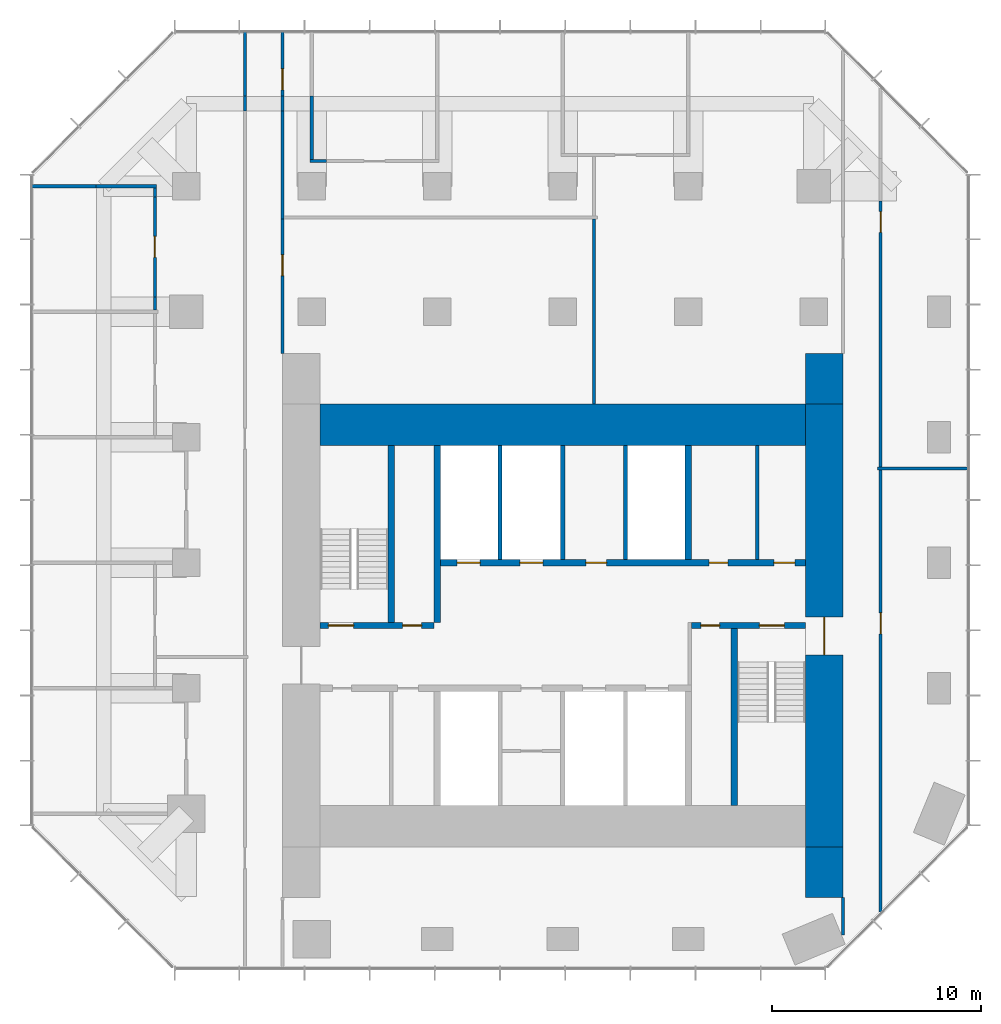
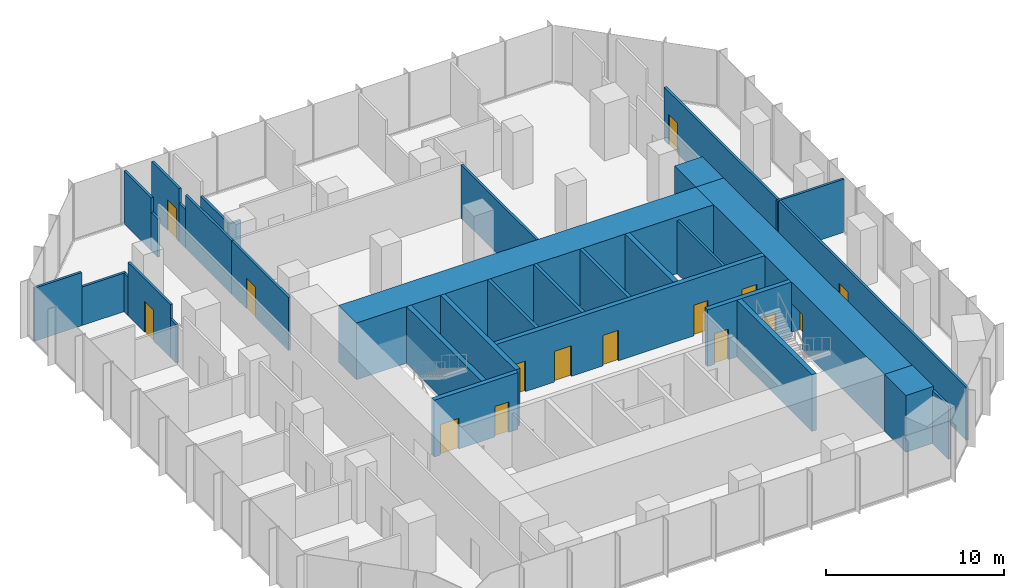
# One storey, part 9 of 11: 33 walls, 15 doors, 15 openings.
"""IFC4 building model written with IfcOpenShell, lengths in metres."""

import ifcopenshell
import ifcopenshell.guid

model = None  # the IFC model being written
_history = None  # IfcOwnerHistory: only IFC2X3 demands one
_inside = {}  # id of a spatial element -> (the spatial element, [elements in it])
_under = {}  # id of a project, library or spatial element -> (it, [spatial elements below it])
_declared = {}  # id of a project -> (the project, [libraries it declares])
_typed = {}  # id of a type object -> (the type object, [elements of that type])
_made_of = {}  # id of a material, layer set ... -> (it, [elements and type objects made of it])


def new_model(schema):
    """Start an empty IFC model of exactly this schema.

    Asked for "IFC4X3", IfcOpenShell would pick the latest addendum, in which some entities
    have other attributes; the version numbers below select the first issue.
    IFC2X3 requires an IfcOwnerHistory on every rooted entity: one is made here for all.
    """
    global model, _history
    if schema == "IFC4X3":
        model = ifcopenshell.file(schema_version=(4, 3, 0, 0))
    else:
        model = ifcopenshell.file(schema=schema)
    _inside.clear()
    _under.clear()
    _declared.clear()
    _typed.clear()
    _made_of.clear()
    _history = None
    if model.schema == "IFC2X3":
        org = make("IfcOrganization", Name="unknown")
        user = make(
            "IfcPersonAndOrganization",
            ThePerson=make("IfcPerson", FamilyName="unknown"),
            TheOrganization=org,
        )
        app = make(
            "IfcApplication",
            ApplicationDeveloper=org,
            Version="unknown",
            ApplicationFullName="unknown",
            ApplicationIdentifier="unknown",
        )
        _history = make(
            "IfcOwnerHistory",
            OwningUser=user,
            OwningApplication=app,
            ChangeAction="ADDED",
            CreationDate=0,
        )
    return model


def make(cls, **values):
    """One entity of the class cls with the attributes given. An attribute that is None is left unset."""
    return model.create_entity(
        cls, **{name: value for name, value in values.items() if value is not None}
    )


def rooted(cls, **values):
    """An entity with a GlobalId (a new one), such as an element, a storey or a relation."""
    return make(cls, GlobalId=ifcopenshell.guid.new(), OwnerHistory=_history, **values)


def si_unit(unit_type, name, prefix=None):
    """IfcSIUnit, for example si_unit("LENGTHUNIT", "METRE", prefix="MILLI")."""
    return make("IfcSIUnit", UnitType=unit_type, Prefix=prefix, Name=name)


def assignment(units):
    """IfcUnitAssignment: the units of a project."""
    return None if units is None else make("IfcUnitAssignment", Units=units)


def point(xyz):
    """IfcCartesianPoint."""
    return None if xyz is None else make("IfcCartesianPoint", Coordinates=xyz)


def direction(xyz):
    """IfcDirection."""
    return None if xyz is None else make("IfcDirection", DirectionRatios=xyz)


def frame(location, z_axis=None, x_axis=None):
    """IfcAxis2Placement3D, a coordinate frame: its origin and axes. An axis left out is left unset."""
    return make(
        "IfcAxis2Placement3D",
        Location=point(location),
        Axis=direction(z_axis),
        RefDirection=direction(x_axis),
    )


def frame_2d(location, x_axis=None):
    """IfcAxis2Placement2D, a coordinate frame in the plane: its origin and x axis."""
    return make(
        "IfcAxis2Placement2D", Location=point(location), RefDirection=direction(x_axis)
    )


def origin():
    """The frame at (0, 0, 0) with its axes left unset."""
    return frame((0.0, 0.0, 0.0))


def place(relative_to, where):
    """IfcLocalPlacement: puts the frame where relative to a parent placement (None: the world)."""
    return make(
        "IfcLocalPlacement", PlacementRelTo=relative_to, RelativePlacement=where
    )


def context(
    kind, dimensions, precision=None, world=None, true_north=None, identifier=None
):
    """IfcGeometricRepresentationContext, for example the 3D "Model" context."""
    return make(
        "IfcGeometricRepresentationContext",
        ContextIdentifier=identifier,
        ContextType=kind,
        CoordinateSpaceDimension=dimensions,
        Precision=precision,
        WorldCoordinateSystem=world,
        TrueNorth=true_north,
    )


def subcontext(parent, identifier, kind, view, scale=None):
    """IfcGeometricRepresentationSubContext, for example "Body" below "Model"."""
    return make(
        "IfcGeometricRepresentationSubContext",
        ContextIdentifier=identifier,
        ContextType=kind,
        ParentContext=parent,
        TargetScale=scale,
        TargetView=view,
    )


def project(units=None, contexts=None):
    """IfcProject with its units and contexts."""
    return rooted(
        "IfcProject",
        Name="project",
        RepresentationContexts=contexts,
        UnitsInContext=assignment(units),
    )


def spatial(cls, under=None, at=None, **own):
    """A site, building, storey or space (cls), placed at a placement, below another one or the project."""
    s = rooted(cls, ObjectPlacement=at, **own)
    if under is not None:
        _under.setdefault(under.id(), (under, []))[1].append(s)
    return s


def profile(cls, at=None, kind="AREA", **sizes):
    """A parametric profile (cls). Its sizes go by their IFC names, for example OverallWidth=200.0."""
    return make(cls, ProfileType=kind, Position=at, **sizes)


def rectangle(**sizes):
    """IfcRectangleProfileDef."""
    return profile("IfcRectangleProfileDef", **sizes)


def extrude(swept, where, along, depth):
    """IfcExtrudedAreaSolid: the profile swept, set in the frame where, extruded along a direction by depth."""
    return make(
        "IfcExtrudedAreaSolid",
        SweptArea=swept,
        Position=where,
        ExtrudedDirection=direction(along),
        Depth=depth,
    )


def shape(context_of_items, identifier, shape_type, items):
    """IfcShapeRepresentation: the items that make up one representation, for example the "Body"."""
    return make(
        "IfcShapeRepresentation",
        ContextOfItems=context_of_items,
        RepresentationIdentifier=identifier,
        RepresentationType=shape_type,
        Items=items,
    )


def material(Name=None, Category=None):
    """IfcMaterial."""
    return make("IfcMaterial", Name=Name, Category=Category)


def layer(
    of_material, thickness, ventilated=None, Name=None, Category=None, Priority=None
):
    """IfcMaterialLayer: one layer of a wall or slab, of a material (None: an air gap)."""
    return make(
        "IfcMaterialLayer",
        Material=of_material,
        LayerThickness=thickness,
        IsVentilated=ventilated,
        Name=Name,
        Category=Category,
        Priority=Priority,
    )


def layer_set(layers, Name=None):
    """IfcMaterialLayerSet."""
    return make("IfcMaterialLayerSet", MaterialLayers=layers, LayerSetName=Name)


def made_of(thing, what):
    """Note that an element or type object is made of a material, layer set ...; save() writes the relation."""
    if what is not None:
        _made_of.setdefault(what.id(), (what, []))[1].append(thing)
    return thing


def type_object(cls, material=None, **own):
    """A type object (cls), such as IfcWallType, which elements share."""
    return made_of(rooted(cls, **own), material)


def element(
    cls,
    number,
    at=None,
    inside=None,
    cuts=None,
    type_object=None,
    material=None,
    context=None,
    identifier="Body",
    shape_type=None,
    held_by="IfcProductDefinitionShape",
    body=None,
    shapes=None,
    **own,
):
    """One element of the class cls, such as IfcWall. Its Tag is "e" and its number.

    at: its placement. inside: the storey or other place that contains it. cuts: it is an
    opening in that element (IfcRelVoidsElement). A single representation is given by context,
    identifier, shape_type and body (its items); several are given by shapes. held_by: the class
    of the entity that holds the representations. save() writes the other relations.
    """
    e = rooted(cls, Tag="e%d" % number, ObjectPlacement=at, **own)
    if body is not None:
        shapes = [shape(context, identifier, shape_type, body)]
    if shapes is not None:
        e.Representation = make(held_by, Representations=shapes)
    if inside is not None:
        _inside.setdefault(inside.id(), (inside, []))[1].append(e)
    if cuts is not None:
        rooted(
            "IfcRelVoidsElement", RelatingBuildingElement=cuts, RelatedOpeningElement=e
        )
    if type_object is not None:
        _typed.setdefault(type_object.id(), (type_object, []))[1].append(e)
    return made_of(e, material)


def fill(opening, filler):
    """IfcRelFillsElement: the door or window that sits in an opening."""
    return rooted(
        "IfcRelFillsElement",
        RelatingOpeningElement=opening,
        RelatedBuildingElement=filler,
    )


def aggregate(whole, parts):
    """IfcRelAggregates: a whole, such as a stair, and the parts it consists of."""
    return rooted("IfcRelAggregates", RelatingObject=whole, RelatedObjects=parts)


def save(model, path):
    """Write the relations noted so far, then the file.

    IfcRelAggregates (storeys below a building ...), IfcRelContainedInSpatialStructure (elements
    in a storey), IfcRelDefinesByType, IfcRelAssociatesMaterial and IfcRelDeclares: one each for
    every whole, place, type object, material and project.
    """
    for whole, parts in _under.values():
        aggregate(whole, parts)
    for where, things in _inside.values():
        rooted(
            "IfcRelContainedInSpatialStructure",
            RelatedElements=things,
            RelatingStructure=where,
        )
    for kind, things in _typed.values():
        rooted("IfcRelDefinesByType", RelatedObjects=things, RelatingType=kind)
    for what, things in _made_of.values():
        rooted("IfcRelAssociatesMaterial", RelatedObjects=things, RelatingMaterial=what)
    for by, libraries in _declared.values():
        rooted("IfcRelDeclares", RelatingContext=by, RelatedDefinitions=libraries)
    model.write(path)


model = new_model("IFC4")

# Units and contexts
model_context = context("Model", 3, precision=1e-05, world=origin(), true_north=direction((0.0, 1.0)))
body_context = subcontext(model_context, "Body", "Model", "MODEL_VIEW")
ifc_project = project(units=[si_unit("LENGTHUNIT", "METRE"), si_unit("AREAUNIT", "SQUARE_METRE"), si_unit("VOLUMEUNIT", "CUBIC_METRE"), si_unit("PLANEANGLEUNIT", "RADIAN"), si_unit("MASSUNIT", "GRAM", prefix="KILO")], contexts=[model_context])

# Site, building, storey
site_placement = place(None, origin())
site = spatial("IfcSite", under=ifc_project, at=site_placement, CompositionType="ELEMENT")
building_placement = place(site_placement, origin())
building = spatial("IfcBuilding", under=site, at=building_placement, Name="Highveld Stack Headquarters", CompositionType="ELEMENT")
storey_placement = place(building_placement, frame((0.0, 0.0, 196.699951171875)))
storey = spatial("IfcBuildingStorey", under=building, at=storey_placement, Name="L48", CompositionType="ELEMENT", Elevation=196.699951171875)

# Wall, opening, door
ifc_material_1 = material(Name="Concrete C60/75", Category="concrete")
ifc_layer_1 = layer(ifc_material_1, 1.800048828125)
ifc_layer_set_1 = layer_set([ifc_layer_1], Name="Concrete C60/75")
wall_type_1 = type_object("IfcWallType", Name="CORE WALL 1800 C60/75", PredefinedType="SHEAR", material=ifc_layer_set_1)
wall_1_placement = place(storey_placement, frame((18.5, -7.60009765625, 0.0), z_axis=(0.0, 0.0, 1.0), x_axis=(0.0, 1.0, 0.0)))
wall_1 = element("IfcWall", 1, at=wall_1_placement, inside=storey, type_object=wall_type_1, Name="Core wall E L48", PredefinedType="SHEAR", context=body_context, shape_type="SweptSolid", body=[
    extrude(rectangle(XDim=21.2001953125, YDim=1.800048828125, at=frame_2d((10.60009765625, 0.0))), origin(), (0.0, 0.0, 1.0), 3.900146484375),
])
opening_1_placement = place(wall_1_placement, frame((9.199951171875, 0.0, 0.0)))
opening_1 = element("IfcOpeningElement", 2, at=opening_1_placement, cuts=wall_1, Name="Opening L48-02", PredefinedType="OPENING", context=body_context, shape_type="SweptSolid", body=[
    extrude(rectangle(XDim=1.800048828125, YDim=2.39990234375, at=frame_2d((0.89990234375, 1.199951171875))), frame((0.0, 0.909912109375, 0.0), z_axis=(0.0, -1.0, 0.0), x_axis=(1.0, 0.0, 0.0)), (0.0, 0.0, 1.0), 1.820068359375),
])
ifc_material_2 = material(Name="Steel fire door", Category="steel")
door_type_1 = type_object("IfcDoorType", Name="LOBBY FIRE DOOR D4 1800x2400", OperationType="DOUBLE_DOOR_SINGLE_SWING", PredefinedType="DOOR", material=ifc_material_2)
door_1_placement = place(opening_1_placement, origin())
door_1 = element("IfcDoor", 3, at=door_1_placement, inside=storey, type_object=door_type_1, Name="Core east door L48", OperationType="DOUBLE_DOOR_SINGLE_SWING", OverallHeight=2.39990234375, OverallWidth=1.800048828125, PredefinedType="DOOR", context=body_context, shape_type="SweptSolid", body=[
    extrude(rectangle(XDim=1.800048828125, YDim=2.39990234375, at=frame_2d((0.89990234375, 1.199951171875))), frame((0.0, 0.02490234375, 0.0), z_axis=(0.0, -1.0, 0.0), x_axis=(1.0, 0.0, 0.0)), (0.0, 0.0, 1.0), 0.050048828125),
])
fill(opening_1, door_1)

# Wall
ifc_material_3 = material(Name="Concrete C60/75", Category="concrete")
ifc_layer_2 = layer(ifc_material_3, 2.0)
ifc_layer_set_2 = layer_set([ifc_layer_2], Name="Concrete C60/75")
wall_type_2 = type_object("IfcWallType", Name="CORE WALL 2000 C60/75", PredefinedType="SHEAR", material=ifc_layer_set_2)
wall_2_placement = place(storey_placement, frame((-5.60009765625, 12.60009765625, 0.0), z_axis=(0.0, 0.0, 1.0), x_axis=(1.0, 0.0, 0.0)))
element("IfcWall", 4, at=wall_2_placement, inside=storey, type_object=wall_type_2, Name="Core wall N L48", PredefinedType="SHEAR", context=body_context, shape_type="SweptSolid", body=[
    extrude(rectangle(XDim=23.2001953125, YDim=2.0, at=frame_2d((11.60009765625, 0.0))), origin(), (0.0, 0.0, 1.0), 3.900146484375),
])

# Wall, openings, doors
ifc_material_4 = material(Name="Concrete C60/75", Category="concrete")
ifc_layer_3 = layer(ifc_material_4, 0.300048828125)
ifc_layer_set_3 = layer_set([ifc_layer_3], Name="Concrete C60/75")
wall_type_3 = type_object("IfcWallType", Name="CORE WALL 300 C60/75", PredefinedType="SHEAR", material=ifc_layer_set_3)
wall_3_placement = place(storey_placement, frame((-5.60009765625, 3.0, 0.0), z_axis=(0.0, 0.0, 1.0), x_axis=(1.0, 0.0, 0.0)))
wall_3 = element("IfcWall", 5, at=wall_3_placement, inside=storey, type_object=wall_type_3, Name="Core wall I-Y3W L48", PredefinedType="SHEAR", context=body_context, shape_type="SweptSolid", body=[
    extrude(rectangle(XDim=5.4501953125, YDim=0.300048828125, at=frame_2d((2.72509765625, 0.0))), origin(), (0.0, 0.0, 1.0), 3.900146484375),
])
opening_2_placement = place(wall_3_placement, frame((0.39990234375, 0.0, 0.0)))
opening_2 = element("IfcOpeningElement", 6, at=opening_2_placement, cuts=wall_3, Name="Opening L48-03", PredefinedType="OPENING", context=body_context, shape_type="SweptSolid", body=[
    extrude(rectangle(XDim=1.199951171875, YDim=2.10009765625, at=frame_2d((0.60009765625, 1.050048828125))), frame((0.0, 0.159912109375, 0.0), z_axis=(0.0, -1.0, 0.0), x_axis=(1.0, 0.0, 0.0)), (0.0, 0.0, 1.0), 0.320068359375),
])
opening_3_placement = place(wall_3_placement, frame((3.949951171875, 0.0, 0.0)))
opening_3 = element("IfcOpeningElement", 7, at=opening_3_placement, cuts=wall_3, Name="Opening L48-04", PredefinedType="OPENING", context=body_context, shape_type="SweptSolid", body=[
    extrude(rectangle(XDim=0.89990234375, YDim=2.10009765625, at=frame_2d((0.449951171875, 1.050048828125))), frame((0.0, 0.159912109375, 0.0), z_axis=(0.0, -1.0, 0.0), x_axis=(1.0, 0.0, 0.0)), (0.0, 0.0, 1.0), 0.320068359375),
])
ifc_material_5 = material(Name="Steel fire door", Category="steel")
door_type_2 = type_object("IfcDoorType", Name="RISER ACCESS DOOR D5 900x2100", OperationType="SINGLE_SWING_LEFT", PredefinedType="DOOR", material=ifc_material_5)
door_2_placement = place(opening_3_placement, origin())
door_2 = element("IfcDoor", 8, at=door_2_placement, inside=storey, type_object=door_type_2, Name="Riser R1 door L48", OperationType="SINGLE_SWING_RIGHT", OverallHeight=2.10009765625, OverallWidth=0.89990234375, PredefinedType="DOOR", context=body_context, shape_type="SweptSolid", body=[
    extrude(rectangle(XDim=0.89990234375, YDim=2.10009765625, at=frame_2d((0.449951171875, 1.050048828125))), frame((0.0, 0.02490234375, 0.0), z_axis=(0.0, -1.0, 0.0), x_axis=(1.0, 0.0, 0.0)), (0.0, 0.0, 1.0), 0.050048828125),
])
fill(opening_3, door_2)
ifc_material_6 = material(Name="Steel fire door", Category="steel")
door_type_3 = type_object("IfcDoorType", Name="STAIR FIRE DOOR D3 1200x2100", OperationType="SINGLE_SWING_LEFT", PredefinedType="DOOR", material=ifc_material_6)
door_3_placement = place(opening_2_placement, origin())
door_3 = element("IfcDoor", 9, at=door_3_placement, inside=storey, type_object=door_type_3, Name="Stair S1 door L48", OperationType="SINGLE_SWING_LEFT", OverallHeight=2.10009765625, OverallWidth=1.199951171875, PredefinedType="DOOR", context=body_context, shape_type="SweptSolid", body=[
    extrude(rectangle(XDim=1.199951171875, YDim=2.10009765625, at=frame_2d((0.60009765625, 1.050048828125))), frame((0.0, 0.02490234375, 0.0), z_axis=(0.0, -1.0, 0.0), x_axis=(1.0, 0.0, 0.0)), (0.0, 0.0, 1.0), 0.050048828125),
])
fill(opening_2, door_3)

wall_4_placement = place(storey_placement, frame((12.14990234375, 3.0, 0.0), z_axis=(0.0, 0.0, 1.0), x_axis=(1.0, 0.0, 0.0)))
wall_4 = element("IfcWall", 10, at=wall_4_placement, inside=storey, type_object=wall_type_3, Name="Core wall I-Y3E L48", PredefinedType="SHEAR", context=body_context, shape_type="SweptSolid", body=[
    extrude(rectangle(XDim=5.4501953125, YDim=0.300048828125, at=frame_2d((2.72509765625, 0.0))), origin(), (0.0, 0.0, 1.0), 3.900146484375),
])
opening_4_placement = place(wall_4_placement, frame((3.25, 0.0, 0.0)))
opening_4 = element("IfcOpeningElement", 11, at=opening_4_placement, cuts=wall_4, Name="Opening L48-05", PredefinedType="OPENING", context=body_context, shape_type="SweptSolid", body=[
    extrude(rectangle(XDim=1.199951171875, YDim=2.10009765625, at=frame_2d((0.60009765625, 1.050048828125))), frame((0.0, 0.159912109375, 0.0), z_axis=(0.0, -1.0, 0.0), x_axis=(1.0, 0.0, 0.0)), (0.0, 0.0, 1.0), 0.320068359375),
])
opening_5_placement = place(wall_4_placement, frame((0.449951171875, 0.0, 0.0)))
opening_5 = element("IfcOpeningElement", 12, at=opening_5_placement, cuts=wall_4, Name="Opening L48-06", PredefinedType="OPENING", context=body_context, shape_type="SweptSolid", body=[
    extrude(rectangle(XDim=0.89990234375, YDim=2.10009765625, at=frame_2d((0.449951171875, 1.050048828125))), frame((0.0, 0.159912109375, 0.0), z_axis=(0.0, -1.0, 0.0), x_axis=(1.0, 0.0, 0.0)), (0.0, 0.0, 1.0), 0.320068359375),
])
door_4_placement = place(opening_5_placement, origin())
door_4 = element("IfcDoor", 13, at=door_4_placement, inside=storey, type_object=door_type_2, Name="Riser R2 door L48", OperationType="SINGLE_SWING_LEFT", OverallHeight=2.10009765625, OverallWidth=0.89990234375, PredefinedType="DOOR", context=body_context, shape_type="SweptSolid", body=[
    extrude(rectangle(XDim=0.89990234375, YDim=2.10009765625, at=frame_2d((0.449951171875, 1.050048828125))), frame((0.0, 0.02490234375, 0.0), z_axis=(0.0, -1.0, 0.0), x_axis=(1.0, 0.0, 0.0)), (0.0, 0.0, 1.0), 0.050048828125),
])
fill(opening_5, door_4)
door_5_placement = place(opening_4_placement, origin())
door_5 = element("IfcDoor", 14, at=door_5_placement, inside=storey, type_object=door_type_3, Name="Stair S2 door L48", OperationType="SINGLE_SWING_RIGHT", OverallHeight=2.10009765625, OverallWidth=1.199951171875, PredefinedType="DOOR", context=body_context, shape_type="SweptSolid", body=[
    extrude(rectangle(XDim=1.199951171875, YDim=2.10009765625, at=frame_2d((0.60009765625, 1.050048828125))), frame((0.0, 0.02490234375, 0.0), z_axis=(0.0, -1.0, 0.0), x_axis=(1.0, 0.0, 0.0)), (0.0, 0.0, 1.0), 0.050048828125),
])
fill(opening_4, door_5)

wall_5_placement = place(storey_placement, frame((-0.14990234375, 6.0, 0.0), z_axis=(0.0, 0.0, 1.0), x_axis=(1.0, 0.0, 0.0)))
wall_5 = element("IfcWall", 15, at=wall_5_placement, inside=storey, type_object=wall_type_3, Name="Core wall I-Y6 L48", PredefinedType="SHEAR", context=body_context, shape_type="SweptSolid", body=[
    extrude(rectangle(XDim=17.75, YDim=0.300048828125, at=frame_2d((8.875, 0.0))), origin(), (0.0, 0.0, 1.0), 3.900146484375),
])
opening_6_placement = place(wall_5_placement, frame((13.14990234375, 0.0, 0.0)))
opening_6 = element("IfcOpeningElement", 16, at=opening_6_placement, cuts=wall_5, Name="Opening L48-09", PredefinedType="OPENING", context=body_context, shape_type="SweptSolid", body=[
    extrude(rectangle(XDim=0.89990234375, YDim=2.10009765625, at=frame_2d((0.449951171875, 1.050048828125))), frame((0.0, 0.159912109375, 0.0), z_axis=(0.0, -1.0, 0.0), x_axis=(1.0, 0.0, 0.0)), (0.0, 0.0, 1.0), 0.320068359375),
])
opening_7_placement = place(wall_5_placement, frame((16.25, 0.0, 0.0)))
opening_7 = element("IfcOpeningElement", 17, at=opening_7_placement, cuts=wall_5, Name="Opening L48-10", PredefinedType="OPENING", context=body_context, shape_type="SweptSolid", body=[
    extrude(rectangle(XDim=1.0, YDim=2.10009765625, at=frame_2d((0.5, 1.050048828125))), frame((0.0, 0.159912109375, 0.0), z_axis=(0.0, -1.0, 0.0), x_axis=(1.0, 0.0, 0.0)), (0.0, 0.0, 1.0), 0.320068359375),
])
opening_8_placement = place(wall_5_placement, frame((7.25, 0.0, 0.0)))
opening_8 = element("IfcOpeningElement", 18, at=opening_8_placement, cuts=wall_5, Name="Opening L48-11", PredefinedType="OPENING", context=body_context, shape_type="SweptSolid", body=[
    extrude(rectangle(XDim=1.0, YDim=2.10009765625, at=frame_2d((0.5, 1.050048828125))), frame((0.0, 0.159912109375, 0.0), z_axis=(0.0, -1.0, 0.0), x_axis=(1.0, 0.0, 0.0)), (0.0, 0.0, 1.0), 0.320068359375),
])
opening_9_placement = place(wall_5_placement, frame((1.10009765625, 0.0, 0.0)))
opening_9 = element("IfcOpeningElement", 19, at=opening_9_placement, cuts=wall_5, Name="Opening LD", PredefinedType="OPENING", context=body_context, shape_type="SweptSolid", body=[
    extrude(rectangle(XDim=1.10009765625, YDim=2.10009765625, at=frame_2d((0.550048828125, 1.050048828125))), frame((0.0, 0.159912109375, 0.0), z_axis=(0.0, -1.0, 0.0), x_axis=(1.0, 0.0, 0.0)), (0.0, 0.0, 1.0), 0.320068359375),
])
opening_10_placement = place(wall_5_placement, frame((4.10009765625, 0.0, 0.0)))
opening_10 = element("IfcOpeningElement", 20, at=opening_10_placement, cuts=wall_5, Name="Opening LD", PredefinedType="OPENING", context=body_context, shape_type="SweptSolid", body=[
    extrude(rectangle(XDim=1.10009765625, YDim=2.10009765625, at=frame_2d((0.550048828125, 1.050048828125))), frame((0.0, 0.159912109375, 0.0), z_axis=(0.0, -1.0, 0.0), x_axis=(1.0, 0.0, 0.0)), (0.0, 0.0, 1.0), 0.320068359375),
])
ifc_material_7 = material(Name="Timber door, painted", Category="wood")
door_type_4 = type_object("IfcDoorType", Name="ACCESSIBLE WC DOOR D2 1000x2100", OperationType="SINGLE_SWING_RIGHT", PredefinedType="DOOR", material=ifc_material_7)
door_6_placement = place(opening_7_placement, origin())
door_6 = element("IfcDoor", 21, at=door_6_placement, inside=storey, type_object=door_type_4, Name="Accessible WC door L48", OperationType="SINGLE_SWING_RIGHT", OverallHeight=2.10009765625, OverallWidth=1.0, PredefinedType="DOOR", context=body_context, shape_type="SweptSolid", body=[
    extrude(rectangle(XDim=1.0, YDim=2.10009765625, at=frame_2d((0.5, 1.050048828125))), frame((0.0, 0.02490234375, 0.0), z_axis=(0.0, -1.0, 0.0), x_axis=(1.0, 0.0, 0.0)), (0.0, 0.0, 1.0), 0.050048828125),
])
fill(opening_7, door_6)
ifc_material_8 = material(Name="Steel fire door", Category="steel")
door_type_5 = type_object("IfcDoorType", Name="CORE ROOM FIRE DOOR D14 1000x2100", OperationType="SINGLE_SWING_LEFT", PredefinedType="DOOR", material=ifc_material_8)
door_7_placement = place(opening_8_placement, origin())
door_7 = element("IfcDoor", 22, at=door_7_placement, inside=storey, type_object=door_type_5, Name="Capped A 1 door L48", OperationType="SINGLE_SWING_LEFT", OverallHeight=2.10009765625, OverallWidth=1.0, PredefinedType="DOOR", context=body_context, shape_type="SweptSolid", body=[
    extrude(rectangle(XDim=1.0, YDim=2.10009765625, at=frame_2d((0.5, 1.050048828125))), frame((0.0, 0.02490234375, 0.0), z_axis=(0.0, -1.0, 0.0), x_axis=(1.0, 0.0, 0.0)), (0.0, 0.0, 1.0), 0.050048828125),
])
fill(opening_8, door_7)
ifc_material_9 = material(Name="Stainless steel lift landing door", Category="steel")
door_type_6 = type_object("IfcDoorType", Name="LIFT LANDING DOOR LD 1100x2100", OperationType="DOUBLE_DOOR_SLIDING", PredefinedType="USERDEFINED", material=ifc_material_9)
door_8_placement = place(opening_9_placement, origin())
door_8 = element("IfcDoor", 23, at=door_8_placement, inside=storey, type_object=door_type_6, Name="Lift landing door FF1 L48", ObjectType="LIFT LANDING DOOR", OperationType="DOUBLE_DOOR_SLIDING", OverallHeight=2.10009765625, OverallWidth=1.10009765625, PredefinedType="USERDEFINED", context=body_context, shape_type="SweptSolid", body=[
    extrude(rectangle(XDim=1.10009765625, YDim=2.10009765625, at=frame_2d((0.550048828125, 1.050048828125))), frame((0.0, 0.02490234375, 0.0), z_axis=(0.0, -1.0, 0.0), x_axis=(1.0, 0.0, 0.0)), (0.0, 0.0, 1.0), 0.050048828125),
])
fill(opening_9, door_8)
door_9_placement = place(opening_10_placement, origin())
door_9 = element("IfcDoor", 24, at=door_9_placement, inside=storey, type_object=door_type_6, Name="Lift landing door FF2 L48", ObjectType="LIFT LANDING DOOR", OperationType="DOUBLE_DOOR_SLIDING", OverallHeight=2.10009765625, OverallWidth=1.10009765625, PredefinedType="USERDEFINED", context=body_context, shape_type="SweptSolid", body=[
    extrude(rectangle(XDim=1.10009765625, YDim=2.10009765625, at=frame_2d((0.550048828125, 1.050048828125))), frame((0.0, 0.02490234375, 0.0), z_axis=(0.0, -1.0, 0.0), x_axis=(1.0, 0.0, 0.0)), (0.0, 0.0, 1.0), 0.050048828125),
])
fill(opening_10, door_9)
ifc_material_10 = material(Name="Timber door, painted", Category="wood")
door_type_7 = type_object("IfcDoorType", Name="WC DOOR D1 900x2100", OperationType="SINGLE_SWING_LEFT", PredefinedType="DOOR", material=ifc_material_10)
door_10_placement = place(opening_6_placement, origin())
door_10 = element("IfcDoor", 25, at=door_10_placement, inside=storey, type_object=door_type_7, Name="Male WC door L48", OperationType="SINGLE_SWING_RIGHT", OverallHeight=2.10009765625, OverallWidth=0.89990234375, PredefinedType="DOOR", context=body_context, shape_type="SweptSolid", body=[
    extrude(rectangle(XDim=0.89990234375, YDim=2.10009765625, at=frame_2d((0.449951171875, 1.050048828125))), frame((0.0, 0.02490234375, 0.0), z_axis=(0.0, -1.0, 0.0), x_axis=(1.0, 0.0, 0.0)), (0.0, 0.0, 1.0), 0.050048828125),
])
fill(opening_6, door_10)

# Walls
wall_6_placement = place(storey_placement, frame((0.0, 3.14990234375, 0.0), z_axis=(0.0, 0.0, 1.0), x_axis=(0.0, 1.0, 0.0)))
element("IfcWall", 26, at=wall_6_placement, inside=storey, type_object=wall_type_3, Name="Core wall I-X0N L48", PredefinedType="SHEAR", context=body_context, shape_type="SweptSolid", body=[
    extrude(rectangle(XDim=8.4501953125, YDim=0.300048828125, at=frame_2d((4.22509765625, 0.0))), origin(), (0.0, 0.0, 1.0), 3.900146484375),
])
wall_7_placement = place(storey_placement, frame((12.0, 6.14990234375, 0.0), z_axis=(0.0, 0.0, 1.0), x_axis=(0.0, 1.0, 0.0)))
element("IfcWall", 27, at=wall_7_placement, inside=storey, type_object=wall_type_3, Name="Core wall I-X12N L48", PredefinedType="SHEAR", context=body_context, shape_type="SweptSolid", body=[
    extrude(rectangle(XDim=5.4501953125, YDim=0.300048828125, at=frame_2d((2.72509765625, 0.0))), origin(), (0.0, 0.0, 1.0), 3.900146484375),
])
for number, where, z_axis, x_axis, name in (
    (28, (-2.199951171875, 3.14990234375, 0.0), (0.0, 0.0, 1.0), (0.0, 1.0, 0.0), "Core wall I-RW L48"),
    (29, (14.199951171875, -5.60009765625, 0.0), (0.0, 0.0, 1.0), (0.0, 1.0, 0.0), "Core wall I-RE L48"),
):
    element("IfcWall", number, at=place(storey_placement, frame(where, z_axis=z_axis, x_axis=x_axis)), inside=storey, type_object=wall_type_3, Name=name, PredefinedType="SHEAR", context=body_context, shape_type="SweptSolid", body=[
        extrude(rectangle(XDim=8.4501953125, YDim=0.300048828125, at=frame_2d((4.22509765625, 0.0))), origin(), (0.0, 0.0, 1.0), 3.900146484375),
    ])
ifc_material_11 = material(Name="Concrete C60/75", Category="concrete")
ifc_layer_4 = layer(ifc_material_11, 1.800048828125)
ifc_layer_set_4 = layer_set([ifc_layer_4], Name="Concrete C60/75")
wall_type_4 = type_object("IfcWallType", Name="CORE WING WALL 1800 C60/75", PredefinedType="SHEAR", material=ifc_layer_set_4)
for number, where, z_axis, x_axis, name in (
    (30, (18.5, -10.0, 0.0), (0.0, 0.0, 1.0), (0.0, 1.0, 0.0), "Core wing wall ES L48"),
    (31, (18.5, 13.60009765625, 0.0), (0.0, 0.0, 1.0), (0.0, 1.0, 0.0), "Core wing wall EN L48"),
):
    element("IfcWall", number, at=place(storey_placement, frame(where, z_axis=z_axis, x_axis=x_axis)), inside=storey, type_object=wall_type_4, Name=name, PredefinedType="SHEAR", context=body_context, shape_type="SweptSolid", body=[
        extrude(rectangle(XDim=2.39990234375, YDim=1.800048828125, at=frame_2d((1.199951171875, 0.0))), origin(), (0.0, 0.0, 1.0), 3.900146484375),
    ])
ifc_material_12 = material(Name="Concrete blockwork, fair-faced", Category="masonry")
ifc_layer_5 = layer(ifc_material_12, 0.199951171875)
ifc_layer_set_5 = layer_set([ifc_layer_5], Name="Concrete blockwork, fair-faced")
wall_type_5 = type_object("IfcWallType", Name="LIFT SHAFT ENCLOSURE WALL 200 BLOCKWORK", PredefinedType="SOLIDWALL", material=ifc_layer_set_5)
for number, where, z_axis, x_axis, name in (
    (32, (3.0, 6.14990234375, 0.0), (0.0, 0.0, 1.0), (0.0, 1.0, 0.0), "Lift shaft wall L48"),
    (33, (6.0, 6.14990234375, 0.0), (0.0, 0.0, 1.0), (0.0, 1.0, 0.0), "Lift shaft wall L48"),
    (34, (9.0, 6.14990234375, 0.0), (0.0, 0.0, 1.0), (0.0, 1.0, 0.0), "Lift shaft wall L48"),
):
    element("IfcWall", number, at=place(storey_placement, frame(where, z_axis=z_axis, x_axis=x_axis)), inside=storey, type_object=wall_type_5, Name=name, PredefinedType="SOLIDWALL", context=body_context, shape_type="SweptSolid", body=[
        extrude(rectangle(XDim=5.4501953125, YDim=0.199951171875, at=frame_2d((2.72509765625, 0.0))), origin(), (0.0, 0.0, 1.0), 3.900146484375),
    ])
ifc_material_13 = material(Name="Gypsum plasterboard on steel studs", Category="steel")
ifc_layer_6 = layer(ifc_material_13, 0.14990234375)
ifc_layer_set_6 = layer_set([ifc_layer_6], Name="Gypsum plasterboard on steel studs")
wall_type_6 = type_object("IfcWallType", Name="PARTITION 150 PLASTERBOARD", PredefinedType="PARTITIONING", material=ifc_layer_set_6)
wall_8_placement = place(storey_placement, frame((-19.39990234375, 24.0, 0.0), z_axis=(0.0, 0.0, 1.0), x_axis=(1.0, 0.0, 0.0)))
element("IfcWall", 35, at=wall_8_placement, inside=storey, type_object=wall_type_6, Name="Partition Quiet room L48", PredefinedType="PARTITIONING", context=body_context, shape_type="SweptSolid", body=[
    extrude(rectangle(XDim=3.08984375, YDim=0.14990234375, at=frame_2d((1.544921875, 0.0))), origin(), (0.0, 0.0, 1.0), 3.650146484375),
])
wall_9_placement = place(storey_placement, frame((-16.31005859375, 24.0, 0.0), z_axis=(0.0, 0.0, 1.0), x_axis=(1.0, 0.0, 0.0)))
element("IfcWall", 36, at=wall_9_placement, inside=storey, type_object=wall_type_6, Name="Partition Quiet room L48", PredefinedType="PARTITIONING", context=body_context, shape_type="SweptSolid", body=[
    extrude(rectangle(XDim=2.885009765625, YDim=0.14990234375, at=frame_2d((1.4423828125, 0.0))), origin(), (0.0, 0.0, 1.0), 2.650146484375),
])
wall_10_placement = place(storey_placement, frame((-6.074951171875, 25.199951171875, 0.0), z_axis=(0.0, 0.0, 1.0), x_axis=(1.0, 0.0, 0.0)))
element("IfcWall", 37, at=wall_10_placement, inside=storey, type_object=wall_type_6, Name="Partition Tea kitchen L48", PredefinedType="PARTITIONING", context=body_context, shape_type="SweptSolid", body=[
    extrude(rectangle(XDim=0.784912109375, YDim=0.14990234375, at=frame_2d((0.392578125, 0.0))), origin(), (0.0, 0.0, 1.0), 2.650146484375),
])
wall_11_placement = place(storey_placement, frame((-13.5, 18.074951171875, 0.0), z_axis=(0.0, 0.0, 1.0), x_axis=(0.0, 1.0, 0.0)))
element("IfcWall", 38, at=wall_11_placement, inside=storey, type_object=wall_type_6, Name="Partition Quiet room L48", PredefinedType="PARTITIONING", context=body_context, shape_type="SweptSolid", body=[
    extrude(rectangle(XDim=0.635009765625, YDim=0.14990234375, at=frame_2d((0.3173828125, 0.0))), origin(), (0.0, 0.0, 1.0), 2.650146484375),
])

# Wall, opening, door
wall_12_placement = place(storey_placement, frame((-13.5, 18.7099609375, 0.0), z_axis=(0.0, 0.0, 1.0), x_axis=(0.0, 1.0, 0.0)))
wall_12 = element("IfcWall", 39, at=wall_12_placement, inside=storey, type_object=wall_type_6, Name="Partition Quiet room L48", PredefinedType="PARTITIONING", context=body_context, shape_type="SweptSolid", body=[
    extrude(rectangle(XDim=4.780029296875, YDim=0.14990234375, at=frame_2d((2.39013671875, 0.0))), origin(), (0.0, 0.0, 1.0), 3.650146484375),
])
opening_11_placement = place(wall_12_placement, frame((1.889892578125, 0.0, 0.0)))
opening_11 = element("IfcOpeningElement", 40, at=opening_11_placement, cuts=wall_12, Name="Opening L48-18", PredefinedType="OPENING", context=body_context, shape_type="SweptSolid", body=[
    extrude(rectangle(XDim=1.0, YDim=2.10009765625, at=frame_2d((0.5, 1.050048828125))), frame((0.0, 0.0849609375, 0.0), z_axis=(0.0, -1.0, 0.0), x_axis=(1.0, 0.0, 0.0)), (0.0, 0.0, 1.0), 0.169921875),
])
ifc_material_14 = material(Name="Timber door, oiled ash", Category="wood")
door_type_8 = type_object("IfcDoorType", Name="ROOM DOOR D6 1000x2100", OperationType="SINGLE_SWING_LEFT", PredefinedType="DOOR", material=ifc_material_14)
door_11_placement = place(opening_11_placement, origin())
door_11 = element("IfcDoor", 41, at=door_11_placement, inside=storey, type_object=door_type_8, Name="Quiet room door 1 L48", OperationType="SINGLE_SWING_LEFT", OverallHeight=2.10009765625, OverallWidth=1.0, PredefinedType="DOOR", context=body_context, shape_type="SweptSolid", body=[
    extrude(rectangle(XDim=1.0, YDim=2.10009765625, at=frame_2d((0.5, 1.050048828125))), frame((0.0, 0.02490234375, 0.0), z_axis=(0.0, -1.0, 0.0), x_axis=(1.0, 0.0, 0.0)), (0.0, 0.0, 1.0), 0.050048828125),
])
fill(opening_11, door_11)

# Walls
wall_13_placement = place(storey_placement, frame((-13.5, 23.489990234375, 0.0), z_axis=(0.0, 0.0, 1.0), x_axis=(0.0, 1.0, 0.0)))
element("IfcWall", 42, at=wall_13_placement, inside=storey, type_object=wall_type_6, Name="Partition Quiet room L48", PredefinedType="PARTITIONING", context=body_context, shape_type="SweptSolid", body=[
    extrude(rectangle(XDim=0.43505859375, YDim=0.14990234375, at=frame_2d((0.217529296875, 0.0))), origin(), (0.0, 0.0, 1.0), 2.650146484375),
])
wall_14_placement = place(storey_placement, frame((-6.0, 25.27490234375, 0.0), z_axis=(0.0, 0.0, 1.0), x_axis=(0.0, 1.0, 0.0)))
element("IfcWall", 43, at=wall_14_placement, inside=storey, type_object=wall_type_6, Name="Partition Tea kitchen L48", PredefinedType="PARTITIONING", context=body_context, shape_type="SweptSolid", body=[
    extrude(rectangle(XDim=3.03515625, YDim=0.14990234375, at=frame_2d((1.517578125, 0.0))), origin(), (0.0, 0.0, 1.0), 2.650146484375),
])
wall_15_placement = place(storey_placement, frame((-9.199951171875, 27.590087890625, 0.0), z_axis=(0.0, 0.0, 1.0), x_axis=(0.0, 1.0, 0.0)))
element("IfcWall", 44, at=wall_15_placement, inside=storey, type_object=wall_type_6, Name="Partition office neighbourhood L48", PredefinedType="PARTITIONING", context=body_context, shape_type="SweptSolid", body=[
    extrude(rectangle(XDim=0.719970703125, YDim=0.14990234375, at=frame_2d((0.35986328125, 0.0))), origin(), (0.0, 0.0, 1.0), 2.650146484375),
])
wall_16_placement = place(storey_placement, frame((-9.199951171875, 28.31005859375, 0.0), z_axis=(0.0, 0.0, 1.0), x_axis=(0.0, 1.0, 0.0)))
element("IfcWall", 45, at=wall_16_placement, inside=storey, type_object=wall_type_6, Name="Partition office neighbourhood L48", PredefinedType="PARTITIONING", context=body_context, shape_type="SweptSolid", body=[
    extrude(rectangle(XDim=3.08984375, YDim=0.14990234375, at=frame_2d((1.544921875, 0.0))), origin(), (0.0, 0.0, 1.0), 3.650146484375),
])

# Wall, opening, door
wall_17_placement = place(storey_placement, frame((-7.39990234375, 16.0, 0.0), z_axis=(0.0, 0.0, 1.0), x_axis=(0.0, 1.0, 0.0)))
wall_17 = element("IfcWall", 46, at=wall_17_placement, inside=storey, type_object=wall_type_6, Name="Partition office neighbourhood L48", PredefinedType="PARTITIONING", context=body_context, shape_type="SweptSolid", body=[
    extrude(rectangle(XDim=6.425048828125, YDim=0.14990234375, at=frame_2d((3.21240234375, 0.0))), origin(), (0.0, 0.0, 1.0), 3.650146484375),
])
opening_12_placement = place(wall_17_placement, frame((3.72509765625, 0.0, 0.0)))
opening_12 = element("IfcOpeningElement", 47, at=opening_12_placement, cuts=wall_17, Name="Opening L48-23", PredefinedType="OPENING", context=body_context, shape_type="SweptSolid", body=[
    extrude(rectangle(XDim=1.0, YDim=2.10009765625, at=frame_2d((0.5, 1.050048828125))), frame((0.0, 0.0849609375, 0.0), z_axis=(0.0, -1.0, 0.0), x_axis=(1.0, 0.0, 0.0)), (0.0, 0.0, 1.0), 0.169921875),
])
door_12_placement = place(opening_12_placement, origin())
door_12 = element("IfcDoor", 48, at=door_12_placement, inside=storey, type_object=door_type_8, Name="Office neighbourhood door L48", OperationType="SINGLE_SWING_RIGHT", OverallHeight=2.10009765625, OverallWidth=1.0, PredefinedType="DOOR", context=body_context, shape_type="SweptSolid", body=[
    extrude(rectangle(XDim=1.0, YDim=2.10009765625, at=frame_2d((0.5, 1.050048828125))), frame((0.0, 0.02490234375, 0.0), z_axis=(0.0, -1.0, 0.0), x_axis=(1.0, 0.0, 0.0)), (0.0, 0.0, 1.0), 0.050048828125),
])
fill(opening_12, door_12)

# Walls
wall_18_placement = place(storey_placement, frame((-7.39990234375, 22.425048828125, 0.0), z_axis=(0.0, 0.0, 1.0), x_axis=(0.0, 1.0, 0.0)))
element("IfcWall", 49, at=wall_18_placement, inside=storey, type_object=wall_type_6, Name="Partition office neighbourhood L48", PredefinedType="PARTITIONING", context=body_context, shape_type="SweptSolid", body=[
    extrude(rectangle(XDim=5.1650390625, YDim=0.14990234375, at=frame_2d((2.58251953125, 0.0))), origin(), (0.0, 0.0, 1.0), 3.650146484375),
])
wall_19_placement = place(storey_placement, frame((-7.39990234375, 27.590087890625, 0.0), z_axis=(0.0, 0.0, 1.0), x_axis=(0.0, 1.0, 0.0)))
element("IfcWall", 50, at=wall_19_placement, inside=storey, type_object=wall_type_6, Name="Partition office neighbourhood L48", PredefinedType="PARTITIONING", context=body_context, shape_type="SweptSolid", body=[
    extrude(rectangle(XDim=0.719970703125, YDim=0.14990234375, at=frame_2d((0.35986328125, 0.0))), origin(), (0.0, 0.0, 1.0), 2.650146484375),
])

# Wall, opening, door
wall_20_placement = place(storey_placement, frame((-7.39990234375, 28.31005859375, 0.0), z_axis=(0.0, 0.0, 1.0), x_axis=(0.0, 1.0, 0.0)))
wall_20 = element("IfcWall", 51, at=wall_20_placement, inside=storey, type_object=wall_type_6, Name="Partition office neighbourhood L48", PredefinedType="PARTITIONING", context=body_context, shape_type="SweptSolid", body=[
    extrude(rectangle(XDim=3.08984375, YDim=0.14990234375, at=frame_2d((1.544921875, 0.0))), origin(), (0.0, 0.0, 1.0), 3.650146484375),
])
opening_13_placement = place(wall_20_placement, frame((0.300048828125, 0.0, 0.0)))
opening_13 = element("IfcOpeningElement", 52, at=opening_13_placement, cuts=wall_20, Name="Opening L48-27", PredefinedType="OPENING", context=body_context, shape_type="SweptSolid", body=[
    extrude(rectangle(XDim=1.0, YDim=2.10009765625, at=frame_2d((0.5, 1.050048828125))), frame((0.0, 0.0849609375, 0.0), z_axis=(0.0, -1.0, 0.0), x_axis=(1.0, 0.0, 0.0)), (0.0, 0.0, 1.0), 0.169921875),
])
door_13_placement = place(opening_13_placement, origin())
door_13 = element("IfcDoor", 53, at=door_13_placement, inside=storey, type_object=door_type_8, Name="Office neighbourhood door L48", OperationType="SINGLE_SWING_LEFT", OverallHeight=2.10009765625, OverallWidth=1.0, PredefinedType="DOOR", context=body_context, shape_type="SweptSolid", body=[
    extrude(rectangle(XDim=1.0, YDim=2.10009765625, at=frame_2d((0.5, 1.050048828125))), frame((0.0, 0.02490234375, 0.0), z_axis=(0.0, -1.0, 0.0), x_axis=(1.0, 0.0, 0.0)), (0.0, 0.0, 1.0), 0.050048828125),
])
fill(opening_13, door_13)

# Walls
wall_21_placement = place(storey_placement, frame((7.5, 13.60009765625, 0.0), z_axis=(0.0, 0.0, 1.0), x_axis=(0.0, 1.0, 0.0)))
element("IfcWall", 54, at=wall_21_placement, inside=storey, type_object=wall_type_6, Name="Partition office neighbourhood L48", PredefinedType="PARTITIONING", context=body_context, shape_type="SweptSolid", body=[
    extrude(rectangle(XDim=8.824951171875, YDim=0.14990234375, at=frame_2d((4.41259765625, 0.0))), origin(), (0.0, 0.0, 1.0), 3.650146484375),
])
wall_22_placement = place(storey_placement, frame((19.39990234375, -11.8017578125, 0.0), z_axis=(0.0, 0.0, 1.0), x_axis=(0.0, 1.0, 0.0)))
element("IfcWall", 55, at=wall_22_placement, inside=storey, type_object=wall_type_6, Name="Partition office neighbourhood L48", PredefinedType="PARTITIONING", context=body_context, shape_type="SweptSolid", body=[
    extrude(rectangle(XDim=1.8017578125, YDim=0.14990234375, at=frame_2d((0.90087890625, 0.0))), origin(), (0.0, 0.0, 1.0), 3.650146484375),
])

# Wall, opening, door
wall_23_placement = place(storey_placement, frame((21.199951171875, -10.68896484375, 0.0), z_axis=(0.0, 0.0, 1.0), x_axis=(0.0, 1.0, 0.0)))
wall_23 = element("IfcWall", 56, at=wall_23_placement, inside=storey, type_object=wall_type_6, Name="Partition office neighbourhood L48", PredefinedType="PARTITIONING", context=body_context, shape_type="SweptSolid", body=[
    extrude(rectangle(XDim=21.114013671875, YDim=0.14990234375, at=frame_2d((10.55712890625, 0.0))), origin(), (0.0, 0.0, 1.0), 3.650146484375),
])
opening_14_placement = place(wall_23_placement, frame((13.2900390625, 0.0, 0.0)))
opening_14 = element("IfcOpeningElement", 57, at=opening_14_placement, cuts=wall_23, Name="Opening L48-22", PredefinedType="OPENING", context=body_context, shape_type="SweptSolid", body=[
    extrude(rectangle(XDim=1.0, YDim=2.10009765625, at=frame_2d((0.5, 1.050048828125))), frame((0.0, 0.0849609375, 0.0), z_axis=(0.0, -1.0, 0.0), x_axis=(1.0, 0.0, 0.0)), (0.0, 0.0, 1.0), 0.169921875),
])
door_14_placement = place(opening_14_placement, origin())
door_14 = element("IfcDoor", 58, at=door_14_placement, inside=storey, type_object=door_type_8, Name="Office neighbourhood door L48", OperationType="SINGLE_SWING_RIGHT", OverallHeight=2.10009765625, OverallWidth=1.0, PredefinedType="DOOR", context=body_context, shape_type="SweptSolid", body=[
    extrude(rectangle(XDim=1.0, YDim=2.10009765625, at=frame_2d((0.5, 1.050048828125))), frame((0.0, 0.02490234375, 0.0), z_axis=(0.0, -1.0, 0.0), x_axis=(1.0, 0.0, 0.0)), (0.0, 0.0, 1.0), 0.050048828125),
])
fill(opening_14, door_14)

wall_24_placement = place(storey_placement, frame((21.199951171875, 10.574951171875, 0.0), z_axis=(0.0, 0.0, 1.0), x_axis=(0.0, 1.0, 0.0)))
wall_24 = element("IfcWall", 59, at=wall_24_placement, inside=storey, type_object=wall_type_6, Name="Partition office neighbourhood L48", PredefinedType="PARTITIONING", context=body_context, shape_type="SweptSolid", body=[
    extrude(rectangle(XDim=12.715087890625, YDim=0.14990234375, at=frame_2d((6.357421875, 0.0))), origin(), (0.0, 0.0, 1.0), 3.650146484375),
])
opening_15_placement = place(wall_24_placement, frame((11.215087890625, 0.0, 0.0)))
opening_15 = element("IfcOpeningElement", 60, at=opening_15_placement, cuts=wall_24, Name="Opening L48-25", PredefinedType="OPENING", context=body_context, shape_type="SweptSolid", body=[
    extrude(rectangle(XDim=1.0, YDim=2.10009765625, at=frame_2d((0.5, 1.050048828125))), frame((0.0, 0.0849609375, 0.0), z_axis=(0.0, -1.0, 0.0), x_axis=(1.0, 0.0, 0.0)), (0.0, 0.0, 1.0), 0.169921875),
])
door_15_placement = place(opening_15_placement, origin())
door_15 = element("IfcDoor", 61, at=door_15_placement, inside=storey, type_object=door_type_8, Name="Office neighbourhood door L48", OperationType="SINGLE_SWING_RIGHT", OverallHeight=2.10009765625, OverallWidth=1.0, PredefinedType="DOOR", context=body_context, shape_type="SweptSolid", body=[
    extrude(rectangle(XDim=1.0, YDim=2.10009765625, at=frame_2d((0.5, 1.050048828125))), frame((0.0, 0.02490234375, 0.0), z_axis=(0.0, -1.0, 0.0), x_axis=(1.0, 0.0, 0.0)), (0.0, 0.0, 1.0), 0.050048828125),
])
fill(opening_15, door_15)

# Walls
wall_25_placement = place(storey_placement, frame((21.050048828125, 10.5, 0.0), z_axis=(0.0, 0.0, 1.0), x_axis=(1.0, 0.0, 0.0)))
element("IfcWall", 62, at=wall_25_placement, inside=storey, type_object=wall_type_6, Name="Partition office neighbourhood L48", PredefinedType="PARTITIONING", context=body_context, shape_type="SweptSolid", body=[
    extrude(rectangle(XDim=4.349853515625, YDim=0.14990234375, at=frame_2d((2.1748046875, 0.0))), origin(), (0.0, 0.0, 1.0), 3.650146484375),
])
ifc_material_15 = material(Name="Concrete blockwork, tiled", Category="masonry")
ifc_layer_7 = layer(ifc_material_15, 0.14990234375)
ifc_layer_set_7 = layer_set([ifc_layer_7], Name="Concrete blockwork, tiled")
wall_type_7 = type_object("IfcWallType", Name="WC PARTITION 150", PredefinedType="PLUMBINGWALL", material=ifc_layer_set_7)
wall_26_placement = place(storey_placement, frame((15.300048828125, 6.14990234375, 0.0), z_axis=(0.0, 0.0, 1.0), x_axis=(0.0, 1.0, 0.0)))
element("IfcWall", 63, at=wall_26_placement, inside=storey, type_object=wall_type_7, Name="Toilet partition L48", PredefinedType="PLUMBINGWALL", context=body_context, shape_type="SweptSolid", body=[
    extrude(rectangle(XDim=5.4501953125, YDim=0.14990234375, at=frame_2d((2.72509765625, 0.0))), origin(), (0.0, 0.0, 1.0), 3.650146484375),
])

save(model, "model.ifc")
